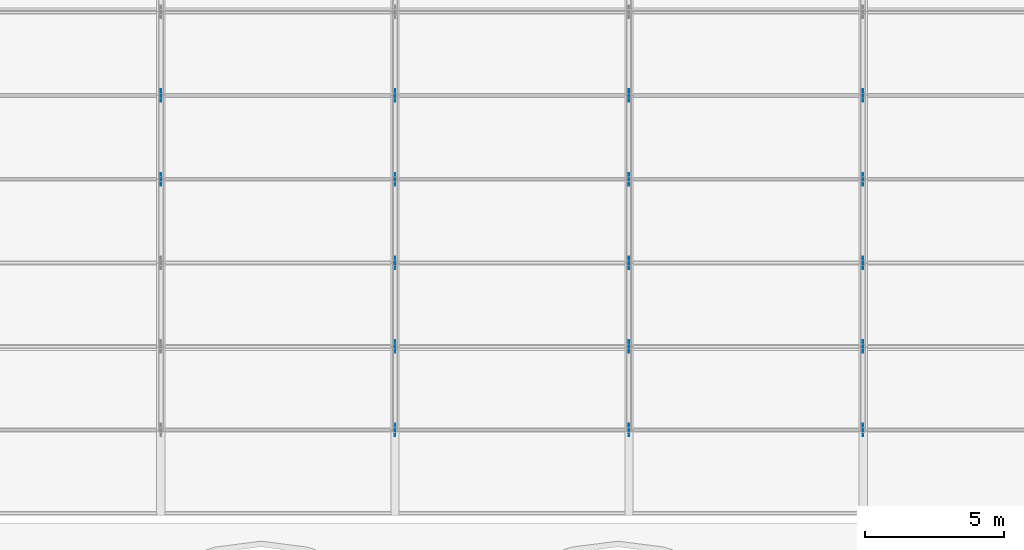
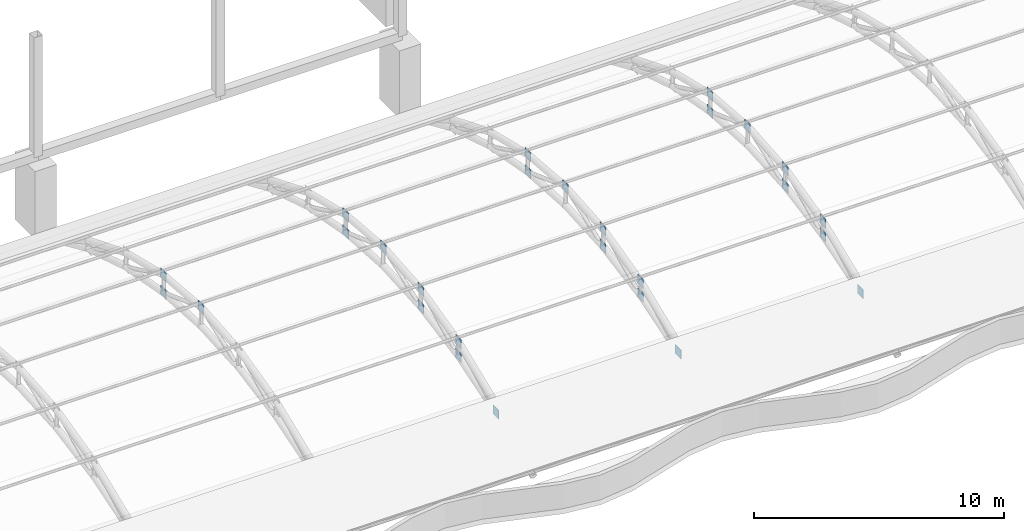
# One storey, part 141 of 163: 27 discrete accessories.
"""IFC4 building model written with IfcOpenShell, lengths in metres."""

from ifc_helpers import new_model, si_unit, direction, frame, origin, origin_2d, place, context, subcontext, project, spatial, rectangle, extrude, material, layer, layer_set, type_object, element, save


model = new_model("IFC4")

# Units and contexts
model_context = context("Model", 3, precision=1e-05, world=origin(), true_north=direction((0.0, 1.0)))
body_context = subcontext(model_context, "Body", "Model", "MODEL_VIEW")
ifc_project = project(units=[si_unit("LENGTHUNIT", "METRE"), si_unit("AREAUNIT", "SQUARE_METRE"), si_unit("VOLUMEUNIT", "CUBIC_METRE"), si_unit("PLANEANGLEUNIT", "RADIAN"), si_unit("MASSUNIT", "GRAM", prefix="KILO")], contexts=[model_context])

# Site, building, storey
site_placement = place(None, origin())
site = spatial("IfcSite", under=ifc_project, at=site_placement, CompositionType="ELEMENT")
building_placement = place(site_placement, origin())
building = spatial("IfcBuilding", under=site, at=building_placement, Name="Rain Tree Exposition and Congress Centre", CompositionType="ELEMENT")
storey_placement = place(building_placement, frame((0.0, 0.0, 10.5)))
storey = spatial("IfcBuildingStorey", under=building, at=storey_placement, Name="L02", CompositionType="ELEMENT", Elevation=10.5)

# Discrete accessories
ifc_material = material(Name="Steel plate S355J2", Category="steel")
ifc_layer = layer(ifc_material, 0.02001953125)
ifc_layer_set = layer_set([ifc_layer], Name="Steel plate S355J2")
discrete_accessory_type = type_object("IfcDiscreteAccessoryType", Name="Brace node plate 450x450x20", PredefinedType="BRACKET", material=ifc_layer_set)
for number, where, z_axis, x_axis, name in (
    (1, (226.800048828125, 87.60009765625, 3.80517578125), (0.0, 0.0, 1.0), (0.0, 1.0, 0.0), "Brace node plate 450"),
    (2, (226.800048828125, 90.60009765625, 2.71728515625), (0.0, 0.0, 1.0), (0.0, -1.0, 0.0), "Brace node plate 450"),
    (3, (226.800048828125, 90.60009765625, 3.5615234375), (0.0, 0.0, 1.0), (0.0, 1.0, 0.0), "Brace node plate 450"),
    (4, (235.199951171875, 78.60009765625, 1.21728515625), (0.0, 0.0, 1.0), (0.0, 1.0, 0.0), "Brace node plate 450"),
    (5, (235.199951171875, 81.60009765625, 2.830078125), (0.0, 0.0, 1.0), (0.0, -1.0, 0.0), "Brace node plate 450"),
    (6, (235.199951171875, 81.60009765625, 2.15478515625), (0.0, 0.0, 1.0), (0.0, 1.0, 0.0), "Brace node plate 450"),
    (7, (235.199951171875, 84.60009765625, 3.5615234375), (0.0, 0.0, 1.0), (0.0, -1.0, 0.0), "Brace node plate 450"),
    (8, (235.199951171875, 84.60009765625, 2.71728515625), (0.0, 0.0, 1.0), (0.0, 1.0, 0.0), "Brace node plate 450"),
    (9, (235.199951171875, 87.60009765625, 3.80517578125), (0.0, 0.0, 1.0), (0.0, 1.0, 0.0), "Brace node plate 450"),
    (10, (235.199951171875, 90.60009765625, 2.71728515625), (0.0, 0.0, 1.0), (0.0, -1.0, 0.0), "Brace node plate 450"),
    (11, (235.199951171875, 90.60009765625, 3.5615234375), (0.0, 0.0, 1.0), (0.0, 1.0, 0.0), "Brace node plate 450"),
    (12, (243.60009765625, 78.60009765625, 1.21728515625), (0.0, 0.0, 1.0), (0.0, 1.0, 0.0), "Brace node plate 450"),
    (13, (243.60009765625, 81.60009765625, 2.830078125), (0.0, 0.0, 1.0), (0.0, -1.0, 0.0), "Brace node plate 450"),
    (14, (243.60009765625, 81.60009765625, 2.15478515625), (0.0, 0.0, 1.0), (0.0, 1.0, 0.0), "Brace node plate 450"),
    (15, (243.60009765625, 84.60009765625, 3.5615234375), (0.0, 0.0, 1.0), (0.0, -1.0, 0.0), "Brace node plate 450"),
    (16, (243.60009765625, 84.60009765625, 2.71728515625), (0.0, 0.0, 1.0), (0.0, 1.0, 0.0), "Brace node plate 450"),
    (17, (243.60009765625, 87.60009765625, 3.80517578125), (0.0, 0.0, 1.0), (0.0, 1.0, 0.0), "Brace node plate 450"),
    (18, (243.60009765625, 90.60009765625, 2.71728515625), (0.0, 0.0, 1.0), (0.0, -1.0, 0.0), "Brace node plate 450"),
    (19, (243.60009765625, 90.60009765625, 3.5615234375), (0.0, 0.0, 1.0), (0.0, 1.0, 0.0), "Brace node plate 450"),
    (20, (252.0, 78.60009765625, 1.21728515625), (0.0, 0.0, 1.0), (0.0, 1.0, 0.0), "Brace node plate 450"),
    (21, (252.0, 81.60009765625, 2.830078125), (0.0, 0.0, 1.0), (0.0, -1.0, 0.0), "Brace node plate 450"),
    (22, (252.0, 81.60009765625, 2.15478515625), (0.0, 0.0, 1.0), (0.0, 1.0, 0.0), "Brace node plate 450"),
    (23, (252.0, 84.60009765625, 3.5615234375), (0.0, 0.0, 1.0), (0.0, -1.0, 0.0), "Brace node plate 450"),
    (24, (252.0, 84.60009765625, 2.71728515625), (0.0, 0.0, 1.0), (0.0, 1.0, 0.0), "Brace node plate 450"),
    (25, (252.0, 87.60009765625, 3.80517578125), (0.0, 0.0, 1.0), (0.0, 1.0, 0.0), "Brace node plate 450"),
    (26, (252.0, 90.60009765625, 2.71728515625), (0.0, 0.0, 1.0), (0.0, -1.0, 0.0), "Brace node plate 450"),
    (27, (252.0, 90.60009765625, 3.5615234375), (0.0, 0.0, 1.0), (0.0, 1.0, 0.0), "Brace node plate 450"),
):
    element("IfcDiscreteAccessory", number, at=place(storey_placement, frame(where, z_axis=z_axis, x_axis=x_axis)), inside=storey, type_object=discrete_accessory_type, Name=name, PredefinedType="BRACKET", context=body_context, shape_type="SweptSolid", body=[
        extrude(rectangle(XDim=0.449951171875, YDim=0.02001953125, at=origin_2d()), origin(), (0.0, 0.0, 1.0), 0.449951171875),
    ])

save(model, "model.ifc")
